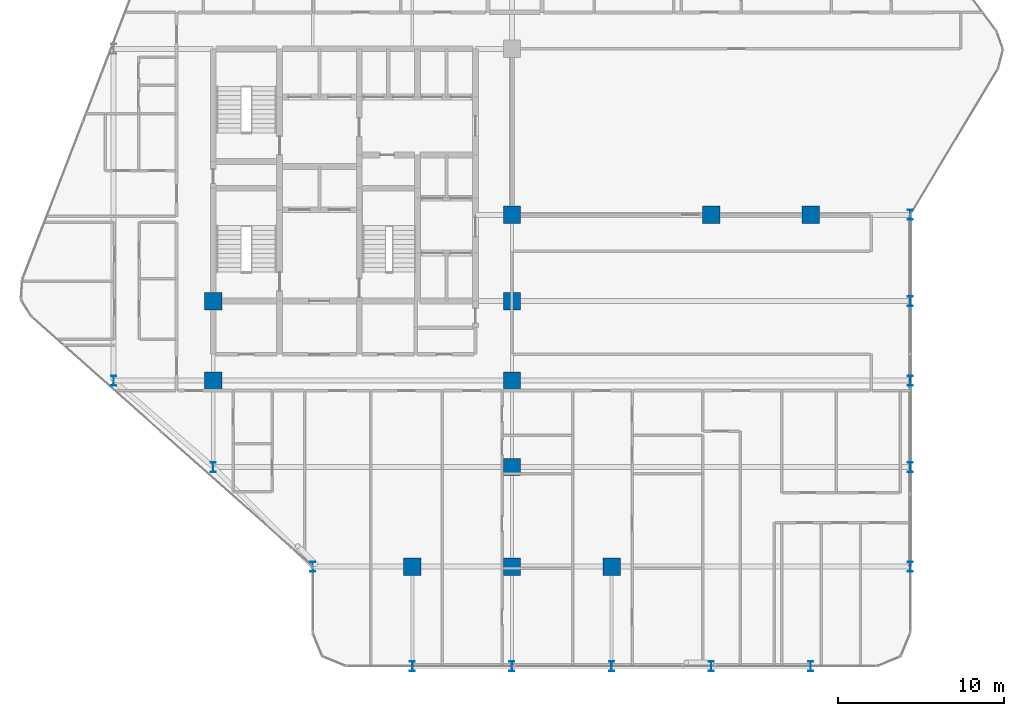
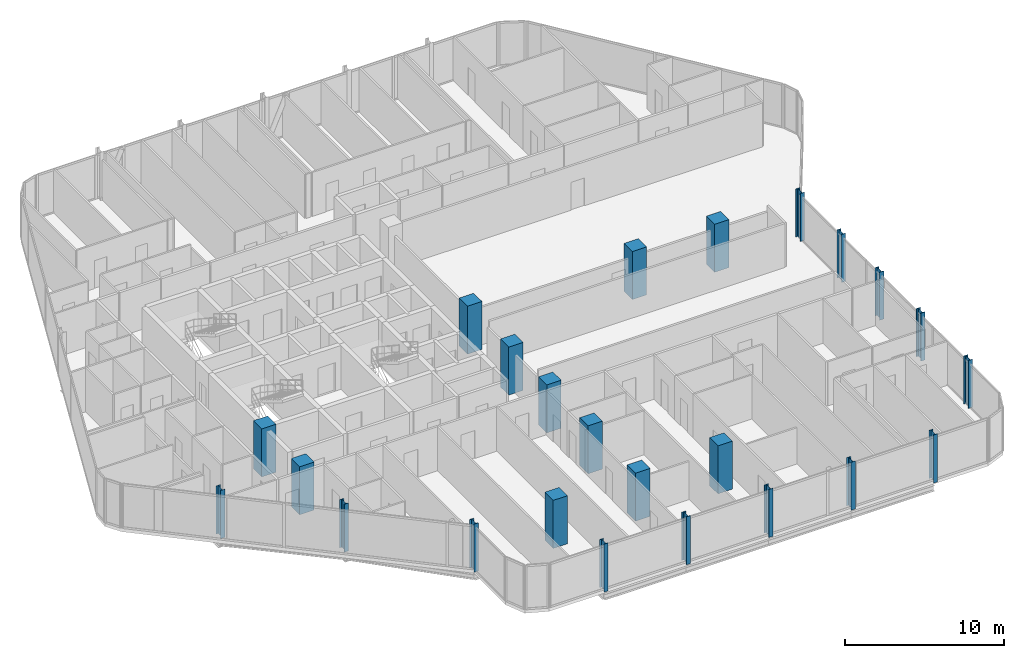
# One storey, part 1 of 30: 24 columns.
"""IFC4 building model written with IfcOpenShell, lengths in metres."""

import ifcopenshell
import ifcopenshell.guid

model = None  # the IFC model being written
_history = None  # IfcOwnerHistory: only IFC2X3 demands one
_inside = {}  # id of a spatial element -> (the spatial element, [elements in it])
_under = {}  # id of a project, library or spatial element -> (it, [spatial elements below it])
_declared = {}  # id of a project -> (the project, [libraries it declares])
_typed = {}  # id of a type object -> (the type object, [elements of that type])
_made_of = {}  # id of a material, layer set ... -> (it, [elements and type objects made of it])


def new_model(schema):
    """Start an empty IFC model of exactly this schema.

    Asked for "IFC4X3", IfcOpenShell would pick the latest addendum, in which some entities
    have other attributes; the version numbers below select the first issue.
    IFC2X3 requires an IfcOwnerHistory on every rooted entity: one is made here for all.
    """
    global model, _history
    if schema == "IFC4X3":
        model = ifcopenshell.file(schema_version=(4, 3, 0, 0))
    else:
        model = ifcopenshell.file(schema=schema)
    _inside.clear()
    _under.clear()
    _declared.clear()
    _typed.clear()
    _made_of.clear()
    _history = None
    if model.schema == "IFC2X3":
        org = make("IfcOrganization", Name="unknown")
        user = make(
            "IfcPersonAndOrganization",
            ThePerson=make("IfcPerson", FamilyName="unknown"),
            TheOrganization=org,
        )
        app = make(
            "IfcApplication",
            ApplicationDeveloper=org,
            Version="unknown",
            ApplicationFullName="unknown",
            ApplicationIdentifier="unknown",
        )
        _history = make(
            "IfcOwnerHistory",
            OwningUser=user,
            OwningApplication=app,
            ChangeAction="ADDED",
            CreationDate=0,
        )
    return model


def make(cls, **values):
    """One entity of the class cls with the attributes given. An attribute that is None is left unset."""
    return model.create_entity(
        cls, **{name: value for name, value in values.items() if value is not None}
    )


def rooted(cls, **values):
    """An entity with a GlobalId (a new one), such as an element, a storey or a relation."""
    return make(cls, GlobalId=ifcopenshell.guid.new(), OwnerHistory=_history, **values)


def si_unit(unit_type, name, prefix=None):
    """IfcSIUnit, for example si_unit("LENGTHUNIT", "METRE", prefix="MILLI")."""
    return make("IfcSIUnit", UnitType=unit_type, Prefix=prefix, Name=name)


def assignment(units):
    """IfcUnitAssignment: the units of a project."""
    return None if units is None else make("IfcUnitAssignment", Units=units)


def point(xyz):
    """IfcCartesianPoint."""
    return None if xyz is None else make("IfcCartesianPoint", Coordinates=xyz)


def direction(xyz):
    """IfcDirection."""
    return None if xyz is None else make("IfcDirection", DirectionRatios=xyz)


def frame(location, z_axis=None, x_axis=None):
    """IfcAxis2Placement3D, a coordinate frame: its origin and axes. An axis left out is left unset."""
    return make(
        "IfcAxis2Placement3D",
        Location=point(location),
        Axis=direction(z_axis),
        RefDirection=direction(x_axis),
    )


def frame_2d(location, x_axis=None):
    """IfcAxis2Placement2D, a coordinate frame in the plane: its origin and x axis."""
    return make(
        "IfcAxis2Placement2D", Location=point(location), RefDirection=direction(x_axis)
    )


def origin():
    """The frame at (0, 0, 0) with its axes left unset."""
    return frame((0.0, 0.0, 0.0))


def origin_2d():
    """The frame at (0, 0) in the plane with its x axis left unset."""
    return frame_2d((0.0, 0.0))


def place(relative_to, where):
    """IfcLocalPlacement: puts the frame where relative to a parent placement (None: the world)."""
    return make(
        "IfcLocalPlacement", PlacementRelTo=relative_to, RelativePlacement=where
    )


def context(
    kind, dimensions, precision=None, world=None, true_north=None, identifier=None
):
    """IfcGeometricRepresentationContext, for example the 3D "Model" context."""
    return make(
        "IfcGeometricRepresentationContext",
        ContextIdentifier=identifier,
        ContextType=kind,
        CoordinateSpaceDimension=dimensions,
        Precision=precision,
        WorldCoordinateSystem=world,
        TrueNorth=true_north,
    )


def subcontext(parent, identifier, kind, view, scale=None):
    """IfcGeometricRepresentationSubContext, for example "Body" below "Model"."""
    return make(
        "IfcGeometricRepresentationSubContext",
        ContextIdentifier=identifier,
        ContextType=kind,
        ParentContext=parent,
        TargetScale=scale,
        TargetView=view,
    )


def project(units=None, contexts=None):
    """IfcProject with its units and contexts."""
    return rooted(
        "IfcProject",
        Name="project",
        RepresentationContexts=contexts,
        UnitsInContext=assignment(units),
    )


def spatial(cls, under=None, at=None, **own):
    """A site, building, storey or space (cls), placed at a placement, below another one or the project."""
    s = rooted(cls, ObjectPlacement=at, **own)
    if under is not None:
        _under.setdefault(under.id(), (under, []))[1].append(s)
    return s


def profile(cls, at=None, kind="AREA", **sizes):
    """A parametric profile (cls). Its sizes go by their IFC names, for example OverallWidth=200.0."""
    return make(cls, ProfileType=kind, Position=at, **sizes)


def rectangle(**sizes):
    """IfcRectangleProfileDef."""
    return profile("IfcRectangleProfileDef", **sizes)


def i_section(**sizes):
    """IfcIShapeProfileDef."""
    return profile("IfcIShapeProfileDef", **sizes)


def extrude(swept, where, along, depth):
    """IfcExtrudedAreaSolid: the profile swept, set in the frame where, extruded along a direction by depth."""
    return make(
        "IfcExtrudedAreaSolid",
        SweptArea=swept,
        Position=where,
        ExtrudedDirection=direction(along),
        Depth=depth,
    )


def shape(context_of_items, identifier, shape_type, items):
    """IfcShapeRepresentation: the items that make up one representation, for example the "Body"."""
    return make(
        "IfcShapeRepresentation",
        ContextOfItems=context_of_items,
        RepresentationIdentifier=identifier,
        RepresentationType=shape_type,
        Items=items,
    )


def material(Name=None, Category=None):
    """IfcMaterial."""
    return make("IfcMaterial", Name=Name, Category=Category)


def material_profile(
    of_material, cross_section, Name=None, Category=None, Priority=None
):
    """IfcMaterialProfile: a cross section and its material."""
    return make(
        "IfcMaterialProfile",
        Name=Name,
        Material=of_material,
        Profile=cross_section,
        Priority=Priority,
        Category=Category,
    )


def profile_set(profiles, Name=None, composite=None):
    """IfcMaterialProfileSet."""
    return make(
        "IfcMaterialProfileSet",
        Name=Name,
        MaterialProfiles=profiles,
        CompositeProfile=composite,
    )


def made_of(thing, what):
    """Note that an element or type object is made of a material, layer set ...; save() writes the relation."""
    if what is not None:
        _made_of.setdefault(what.id(), (what, []))[1].append(thing)
    return thing


def type_object(cls, material=None, **own):
    """A type object (cls), such as IfcWallType, which elements share."""
    return made_of(rooted(cls, **own), material)


def element(
    cls,
    number,
    at=None,
    inside=None,
    cuts=None,
    type_object=None,
    material=None,
    context=None,
    identifier="Body",
    shape_type=None,
    held_by="IfcProductDefinitionShape",
    body=None,
    shapes=None,
    **own,
):
    """One element of the class cls, such as IfcWall. Its Tag is "e" and its number.

    at: its placement. inside: the storey or other place that contains it. cuts: it is an
    opening in that element (IfcRelVoidsElement). A single representation is given by context,
    identifier, shape_type and body (its items); several are given by shapes. held_by: the class
    of the entity that holds the representations. save() writes the other relations.
    """
    e = rooted(cls, Tag="e%d" % number, ObjectPlacement=at, **own)
    if body is not None:
        shapes = [shape(context, identifier, shape_type, body)]
    if shapes is not None:
        e.Representation = make(held_by, Representations=shapes)
    if inside is not None:
        _inside.setdefault(inside.id(), (inside, []))[1].append(e)
    if cuts is not None:
        rooted(
            "IfcRelVoidsElement", RelatingBuildingElement=cuts, RelatedOpeningElement=e
        )
    if type_object is not None:
        _typed.setdefault(type_object.id(), (type_object, []))[1].append(e)
    return made_of(e, material)


def aggregate(whole, parts):
    """IfcRelAggregates: a whole, such as a stair, and the parts it consists of."""
    return rooted("IfcRelAggregates", RelatingObject=whole, RelatedObjects=parts)


def save(model, path):
    """Write the relations noted so far, then the file.

    IfcRelAggregates (storeys below a building ...), IfcRelContainedInSpatialStructure (elements
    in a storey), IfcRelDefinesByType, IfcRelAssociatesMaterial and IfcRelDeclares: one each for
    every whole, place, type object, material and project.
    """
    for whole, parts in _under.values():
        aggregate(whole, parts)
    for where, things in _inside.values():
        rooted(
            "IfcRelContainedInSpatialStructure",
            RelatedElements=things,
            RelatingStructure=where,
        )
    for kind, things in _typed.values():
        rooted("IfcRelDefinesByType", RelatedObjects=things, RelatingType=kind)
    for what, things in _made_of.values():
        rooted("IfcRelAssociatesMaterial", RelatedObjects=things, RelatingMaterial=what)
    for by, libraries in _declared.values():
        rooted("IfcRelDeclares", RelatingContext=by, RelatedDefinitions=libraries)
    model.write(path)


model = new_model("IFC4")

# Units and contexts
model_context = context("Model", 3, precision=1e-05, world=origin(), true_north=direction((0.0, 1.0)))
body_context = subcontext(model_context, "Body", "Model", "MODEL_VIEW")
ifc_project = project(units=[si_unit("LENGTHUNIT", "METRE"), si_unit("AREAUNIT", "SQUARE_METRE"), si_unit("VOLUMEUNIT", "CUBIC_METRE"), si_unit("PLANEANGLEUNIT", "RADIAN"), si_unit("MASSUNIT", "GRAM", prefix="KILO")], contexts=[model_context])

# Site, building, storey
site_placement = place(None, origin())
site = spatial("IfcSite", under=ifc_project, at=site_placement, CompositionType="ELEMENT")
building_placement = place(site_placement, origin())
building = spatial("IfcBuilding", under=site, at=building_placement, Name="Keshet Zoharim Tower", CompositionType="ELEMENT")
storey_placement = place(building_placement, frame((0.0, 0.0, 113.10009765625)))
storey = spatial("IfcBuildingStorey", under=building, at=storey_placement, Name="L27", CompositionType="ELEMENT", Elevation=113.10009765625)

# Columns
ifc_material_1 = material(Name="Steel S355", Category="steel")
ifc_material_profile_1 = material_profile(ifc_material_1, i_section(OverallWidth=0.300048828125, OverallDepth=0.60009765625, WebThickness=0.015380859375, FlangeThickness=0.030029296875, FilletRadius=0.027099609375, at=origin_2d()), Name="HEB600")
ifc_profile_set_1 = profile_set([ifc_material_profile_1], Name="Steel S355")
column_type_1 = type_object("IfcColumnType", Name="COL-HEB600", PredefinedType="COLUMN", material=ifc_profile_set_1)
for number, where, z_axis, x_axis, name in (
    (1, (9.0, 17.89990234375, 0.0), (0.0, 0.0, 1.0), (1.0, 0.0, 0.0), "L27 Column 2D"),
    (2, (15.0, 12.699951171875, 0.0), (0.0, 0.0, 1.0), (1.0, 0.0, 0.0), "L27 Column 3C"),
    (3, (21.0, 6.699951171875, 0.0), (0.0, 0.0, 1.0), (1.0, 0.0, 0.0), "L27 Column 4B"),
    (4, (27.0, 0.699951171875, 0.0), (0.0, 0.0, 1.0), (1.0, 0.0, 0.0), "L27 Column 5A"),
    (5, (33.0, 0.699951171875, 0.0), (0.0, 0.0, 1.0), (1.0, 0.0, 0.0), "L27 Column 6A"),
    (6, (39.0, 0.699951171875, 0.0), (0.0, 0.0, 1.0), (1.0, 0.0, 0.0), "L27 Column 7A"),
    (7, (45.0, 0.699951171875, 0.0), (0.0, 0.0, 1.0), (1.0, 0.0, 0.0), "L27 Column 8A"),
    (8, (51.0, 0.699951171875, 0.0), (0.0, 0.0, 1.0), (1.0, 0.0, 0.0), "L27 Column 9A"),
    (9, (57.0, 6.699951171875, 0.0), (0.0, 0.0, 1.0), (1.0, 0.0, 0.0), "L27 Column 10B"),
    (10, (57.0, 12.699951171875, 0.0), (0.0, 0.0, 1.0), (1.0, 0.0, 0.0), "L27 Column 10C"),
    (11, (57.0, 17.89990234375, 0.0), (0.0, 0.0, 1.0), (1.0, 0.0, 0.0), "L27 Column 10D"),
    (12, (57.0, 22.699951171875, 0.0), (0.0, 0.0, 1.0), (1.0, 0.0, 0.0), "L27 Column 10E"),
    (13, (57.0, 27.89990234375, 0.0), (0.0, 0.0, 1.0), (1.0, 0.0, 0.0), "L27 Column 10F"),
):
    element("IfcColumn", number, at=place(storey_placement, frame(where, z_axis=z_axis, x_axis=x_axis)), inside=storey, type_object=column_type_1, Name=name, PredefinedType="COLUMN", context=body_context, shape_type="SweptSolid", body=[
        extrude(i_section(OverallWidth=0.300048828125, OverallDepth=0.60009765625, WebThickness=0.015380859375, FlangeThickness=0.030029296875, FilletRadius=0.027099609375, at=origin_2d()), origin(), (0.0, 0.0, 1.0), 3.699951171875),
    ])
ifc_material_2 = material(Name="Concrete C60/75", Category="concrete")
ifc_material_profile_2 = material_profile(ifc_material_2, rectangle(XDim=1.050048828125, YDim=1.050048828125, at=origin_2d()), Name="RC1050x1050")
ifc_profile_set_2 = profile_set([ifc_material_profile_2], Name="Concrete C60/75")
column_type_2 = type_object("IfcColumnType", Name="COL-RC1050", PredefinedType="COLUMN", material=ifc_profile_set_2)
for number, where, z_axis, x_axis, name in (
    (14, (15.0, 17.89990234375, 0.0), (0.0, 0.0, 1.0), (1.0, 0.0, 0.0), "L27 Column 3D"),
    (15, (15.0, 22.699951171875, 0.0), (0.0, 0.0, 1.0), (1.0, 0.0, 0.0), "L27 Column 3E"),
    (16, (27.0, 6.699951171875, 0.0), (0.0, 0.0, 1.0), (1.0, 0.0, 0.0), "L27 Column 5B"),
    (17, (33.0, 6.699951171875, 0.0), (0.0, 0.0, 1.0), (1.0, 0.0, 0.0), "L27 Column 6B"),
    (18, (33.0, 12.699951171875, 0.0), (0.0, 0.0, 1.0), (1.0, 0.0, 0.0), "L27 Column 6C"),
    (19, (33.0, 17.89990234375, 0.0), (0.0, 0.0, 1.0), (1.0, 0.0, 0.0), "L27 Column 6D"),
    (20, (33.0, 22.699951171875, 0.0), (0.0, 0.0, 1.0), (1.0, 0.0, 0.0), "L27 Column 6E"),
    (21, (33.0, 27.89990234375, 0.0), (0.0, 0.0, 1.0), (1.0, 0.0, 0.0), "L27 Column 6F"),
    (22, (39.0, 6.699951171875, 0.0), (0.0, 0.0, 1.0), (1.0, 0.0, 0.0), "L27 Column 7B"),
    (23, (45.0, 27.89990234375, 0.0), (0.0, 0.0, 1.0), (1.0, 0.0, 0.0), "L27 Column 8F"),
    (24, (51.0, 27.89990234375, 0.0), (0.0, 0.0, 1.0), (1.0, 0.0, 0.0), "L27 Column 9F"),
):
    element("IfcColumn", number, at=place(storey_placement, frame(where, z_axis=z_axis, x_axis=x_axis)), inside=storey, type_object=column_type_2, Name=name, PredefinedType="COLUMN", context=body_context, shape_type="SweptSolid", body=[
        extrude(rectangle(XDim=1.050048828125, YDim=1.050048828125, at=origin_2d()), origin(), (0.0, 0.0, 1.0), 3.699951171875),
    ])

save(model, "model.ifc")
